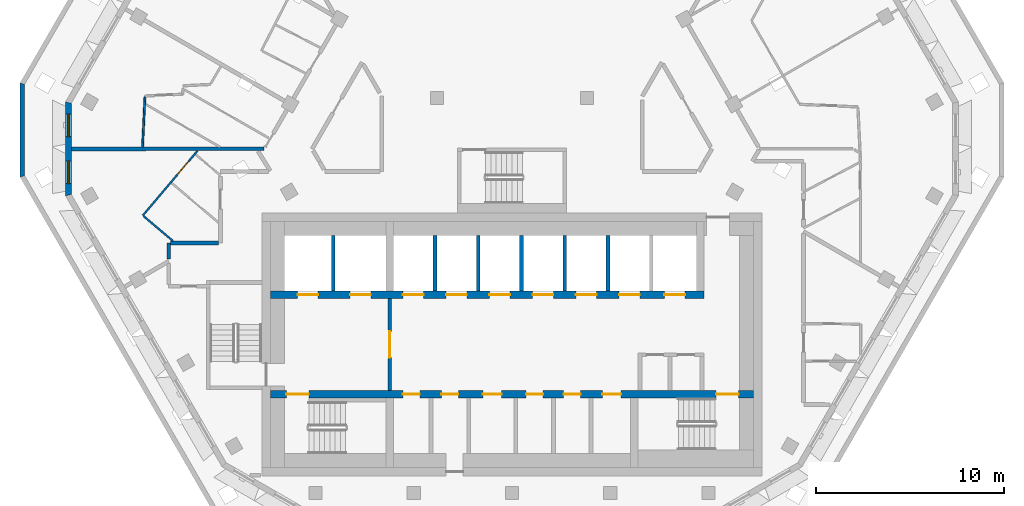
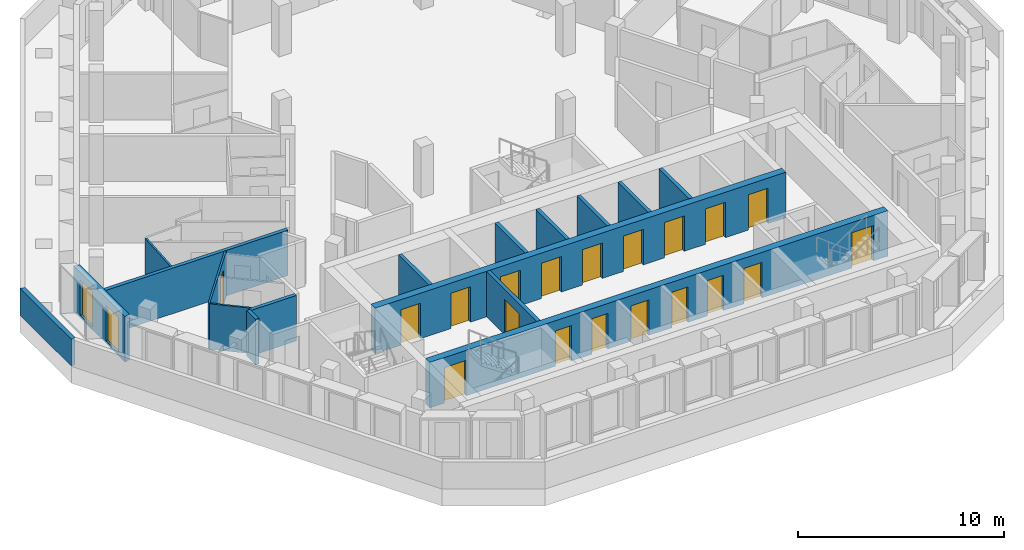
# One storey, part 3 of 15: 19 doors, 17 walls, 2 windows, 21 openings.
"""IFC4 building model written with IfcOpenShell, lengths in metres."""

import ifcopenshell
import ifcopenshell.guid

model = None  # the IFC model being written
_history = None  # IfcOwnerHistory: only IFC2X3 demands one
_inside = {}  # id of a spatial element -> (the spatial element, [elements in it])
_under = {}  # id of a project, library or spatial element -> (it, [spatial elements below it])
_declared = {}  # id of a project -> (the project, [libraries it declares])
_typed = {}  # id of a type object -> (the type object, [elements of that type])
_made_of = {}  # id of a material, layer set ... -> (it, [elements and type objects made of it])


def new_model(schema):
    """Start an empty IFC model of exactly this schema.

    Asked for "IFC4X3", IfcOpenShell would pick the latest addendum, in which some entities
    have other attributes; the version numbers below select the first issue.
    IFC2X3 requires an IfcOwnerHistory on every rooted entity: one is made here for all.
    """
    global model, _history
    if schema == "IFC4X3":
        model = ifcopenshell.file(schema_version=(4, 3, 0, 0))
    else:
        model = ifcopenshell.file(schema=schema)
    _inside.clear()
    _under.clear()
    _declared.clear()
    _typed.clear()
    _made_of.clear()
    _history = None
    if model.schema == "IFC2X3":
        org = make("IfcOrganization", Name="unknown")
        user = make(
            "IfcPersonAndOrganization",
            ThePerson=make("IfcPerson", FamilyName="unknown"),
            TheOrganization=org,
        )
        app = make(
            "IfcApplication",
            ApplicationDeveloper=org,
            Version="unknown",
            ApplicationFullName="unknown",
            ApplicationIdentifier="unknown",
        )
        _history = make(
            "IfcOwnerHistory",
            OwningUser=user,
            OwningApplication=app,
            ChangeAction="ADDED",
            CreationDate=0,
        )
    return model


def make(cls, **values):
    """One entity of the class cls with the attributes given. An attribute that is None is left unset."""
    return model.create_entity(
        cls, **{name: value for name, value in values.items() if value is not None}
    )


def rooted(cls, **values):
    """An entity with a GlobalId (a new one), such as an element, a storey or a relation."""
    return make(cls, GlobalId=ifcopenshell.guid.new(), OwnerHistory=_history, **values)


def si_unit(unit_type, name, prefix=None):
    """IfcSIUnit, for example si_unit("LENGTHUNIT", "METRE", prefix="MILLI")."""
    return make("IfcSIUnit", UnitType=unit_type, Prefix=prefix, Name=name)


def assignment(units):
    """IfcUnitAssignment: the units of a project."""
    return None if units is None else make("IfcUnitAssignment", Units=units)


def point(xyz):
    """IfcCartesianPoint."""
    return None if xyz is None else make("IfcCartesianPoint", Coordinates=xyz)


def direction(xyz):
    """IfcDirection."""
    return None if xyz is None else make("IfcDirection", DirectionRatios=xyz)


def frame(location, z_axis=None, x_axis=None):
    """IfcAxis2Placement3D, a coordinate frame: its origin and axes. An axis left out is left unset."""
    return make(
        "IfcAxis2Placement3D",
        Location=point(location),
        Axis=direction(z_axis),
        RefDirection=direction(x_axis),
    )


def frame_2d(location, x_axis=None):
    """IfcAxis2Placement2D, a coordinate frame in the plane: its origin and x axis."""
    return make(
        "IfcAxis2Placement2D", Location=point(location), RefDirection=direction(x_axis)
    )


def origin():
    """The frame at (0, 0, 0) with its axes left unset."""
    return frame((0.0, 0.0, 0.0))


def place(relative_to, where):
    """IfcLocalPlacement: puts the frame where relative to a parent placement (None: the world)."""
    return make(
        "IfcLocalPlacement", PlacementRelTo=relative_to, RelativePlacement=where
    )


def context(
    kind, dimensions, precision=None, world=None, true_north=None, identifier=None
):
    """IfcGeometricRepresentationContext, for example the 3D "Model" context."""
    return make(
        "IfcGeometricRepresentationContext",
        ContextIdentifier=identifier,
        ContextType=kind,
        CoordinateSpaceDimension=dimensions,
        Precision=precision,
        WorldCoordinateSystem=world,
        TrueNorth=true_north,
    )


def subcontext(parent, identifier, kind, view, scale=None):
    """IfcGeometricRepresentationSubContext, for example "Body" below "Model"."""
    return make(
        "IfcGeometricRepresentationSubContext",
        ContextIdentifier=identifier,
        ContextType=kind,
        ParentContext=parent,
        TargetScale=scale,
        TargetView=view,
    )


def project(units=None, contexts=None):
    """IfcProject with its units and contexts."""
    return rooted(
        "IfcProject",
        Name="project",
        RepresentationContexts=contexts,
        UnitsInContext=assignment(units),
    )


def spatial(cls, under=None, at=None, **own):
    """A site, building, storey or space (cls), placed at a placement, below another one or the project."""
    s = rooted(cls, ObjectPlacement=at, **own)
    if under is not None:
        _under.setdefault(under.id(), (under, []))[1].append(s)
    return s


def polyline(points):
    """IfcPolyline through the points."""
    return make("IfcPolyline", Points=[point(p) for p in points])


def profile(cls, at=None, kind="AREA", **sizes):
    """A parametric profile (cls). Its sizes go by their IFC names, for example OverallWidth=200.0."""
    return make(cls, ProfileType=kind, Position=at, **sizes)


def rectangle(**sizes):
    """IfcRectangleProfileDef."""
    return profile("IfcRectangleProfileDef", **sizes)


def outline(outer, holes=None, kind="AREA"):
    """IfcArbitraryClosedProfileDef: a profile drawn as a closed curve; with holes, ...WithVoids."""
    if holes is None:
        return make("IfcArbitraryClosedProfileDef", ProfileType=kind, OuterCurve=outer)
    return make(
        "IfcArbitraryProfileDefWithVoids",
        ProfileType=kind,
        OuterCurve=outer,
        InnerCurves=holes,
    )


def extrude(swept, where, along, depth):
    """IfcExtrudedAreaSolid: the profile swept, set in the frame where, extruded along a direction by depth."""
    return make(
        "IfcExtrudedAreaSolid",
        SweptArea=swept,
        Position=where,
        ExtrudedDirection=direction(along),
        Depth=depth,
    )


def shape(context_of_items, identifier, shape_type, items):
    """IfcShapeRepresentation: the items that make up one representation, for example the "Body"."""
    return make(
        "IfcShapeRepresentation",
        ContextOfItems=context_of_items,
        RepresentationIdentifier=identifier,
        RepresentationType=shape_type,
        Items=items,
    )


def material(Name=None, Category=None):
    """IfcMaterial."""
    return make("IfcMaterial", Name=Name, Category=Category)


def layer(
    of_material, thickness, ventilated=None, Name=None, Category=None, Priority=None
):
    """IfcMaterialLayer: one layer of a wall or slab, of a material (None: an air gap)."""
    return make(
        "IfcMaterialLayer",
        Material=of_material,
        LayerThickness=thickness,
        IsVentilated=ventilated,
        Name=Name,
        Category=Category,
        Priority=Priority,
    )


def layer_set(layers, Name=None):
    """IfcMaterialLayerSet."""
    return make("IfcMaterialLayerSet", MaterialLayers=layers, LayerSetName=Name)


def made_of(thing, what):
    """Note that an element or type object is made of a material, layer set ...; save() writes the relation."""
    if what is not None:
        _made_of.setdefault(what.id(), (what, []))[1].append(thing)
    return thing


def type_object(cls, material=None, **own):
    """A type object (cls), such as IfcWallType, which elements share."""
    return made_of(rooted(cls, **own), material)


def element(
    cls,
    number,
    at=None,
    inside=None,
    cuts=None,
    type_object=None,
    material=None,
    context=None,
    identifier="Body",
    shape_type=None,
    held_by="IfcProductDefinitionShape",
    body=None,
    shapes=None,
    **own,
):
    """One element of the class cls, such as IfcWall. Its Tag is "e" and its number.

    at: its placement. inside: the storey or other place that contains it. cuts: it is an
    opening in that element (IfcRelVoidsElement). A single representation is given by context,
    identifier, shape_type and body (its items); several are given by shapes. held_by: the class
    of the entity that holds the representations. save() writes the other relations.
    """
    e = rooted(cls, Tag="e%d" % number, ObjectPlacement=at, **own)
    if body is not None:
        shapes = [shape(context, identifier, shape_type, body)]
    if shapes is not None:
        e.Representation = make(held_by, Representations=shapes)
    if inside is not None:
        _inside.setdefault(inside.id(), (inside, []))[1].append(e)
    if cuts is not None:
        rooted(
            "IfcRelVoidsElement", RelatingBuildingElement=cuts, RelatedOpeningElement=e
        )
    if type_object is not None:
        _typed.setdefault(type_object.id(), (type_object, []))[1].append(e)
    return made_of(e, material)


def fill(opening, filler):
    """IfcRelFillsElement: the door or window that sits in an opening."""
    return rooted(
        "IfcRelFillsElement",
        RelatingOpeningElement=opening,
        RelatedBuildingElement=filler,
    )


def aggregate(whole, parts):
    """IfcRelAggregates: a whole, such as a stair, and the parts it consists of."""
    return rooted("IfcRelAggregates", RelatingObject=whole, RelatedObjects=parts)


def save(model, path):
    """Write the relations noted so far, then the file.

    IfcRelAggregates (storeys below a building ...), IfcRelContainedInSpatialStructure (elements
    in a storey), IfcRelDefinesByType, IfcRelAssociatesMaterial and IfcRelDeclares: one each for
    every whole, place, type object, material and project.
    """
    for whole, parts in _under.values():
        aggregate(whole, parts)
    for where, things in _inside.values():
        rooted(
            "IfcRelContainedInSpatialStructure",
            RelatedElements=things,
            RelatingStructure=where,
        )
    for kind, things in _typed.values():
        rooted("IfcRelDefinesByType", RelatedObjects=things, RelatingType=kind)
    for what, things in _made_of.values():
        rooted("IfcRelAssociatesMaterial", RelatedObjects=things, RelatingMaterial=what)
    for by, libraries in _declared.values():
        rooted("IfcRelDeclares", RelatingContext=by, RelatedDefinitions=libraries)
    model.write(path)


model = new_model("IFC4")

# Units and contexts
model_context = context("Model", 3, precision=1e-05, world=origin(), true_north=direction((0.0, 1.0)))
body_context = subcontext(model_context, "Body", "Model", "MODEL_VIEW")
ifc_project = project(units=[si_unit("LENGTHUNIT", "METRE"), si_unit("AREAUNIT", "SQUARE_METRE"), si_unit("VOLUMEUNIT", "CUBIC_METRE"), si_unit("PLANEANGLEUNIT", "RADIAN"), si_unit("MASSUNIT", "GRAM", prefix="KILO")], contexts=[model_context])

# Site, building, storey
site_placement = place(None, origin())
site = spatial("IfcSite", under=ifc_project, at=site_placement, CompositionType="ELEMENT")
building_placement = place(site_placement, origin())
building = spatial("IfcBuilding", under=site, at=building_placement, Name="Beryl Residences", CompositionType="ELEMENT")
storey_placement = place(building_placement, frame((0.0, 0.0, 202.800048828125)))
storey = spatial("IfcBuildingStorey", under=building, at=storey_placement, Name="L62", CompositionType="ELEMENT", Elevation=202.800048828125)

# Wall, openings, windows
ifc_material_1 = material(Name="Composite metal panel with mineral wool insulation")
ifc_layer_1 = layer(ifc_material_1, 0.300048828125)
ifc_layer_set_1 = layer_set([ifc_layer_1], Name="ES1 pale metal composite panel wall 300 mm")
wall_type_1 = type_object("IfcWallType", Name="ES1 pale metal composite panel wall 300 mm", PredefinedType="SOLIDWALL", material=ifc_layer_set_1)
wall_1_placement = place(storey_placement, frame((-23.5791015625, 0.89990234375, 0.0), z_axis=(0.0, 0.0, 1.0), x_axis=(0.0, -1.0, 0.0)))
wall_1 = element("IfcWall", 1, at=wall_1_placement, inside=storey, type_object=wall_type_1, Name="ES1 external wall L62 NW-SW", PredefinedType="SOLIDWALL", context=body_context, shape_type="SweptSolid", body=[
    extrude(outline(polyline([(0.0, -0.14990234375), (5.0, -0.14990234375), (4.919677734375, 0.14990234375), (0.080322265625, 0.14990234375), (0.0, -0.14990234375)])), origin(), (0.0, 0.0, 1.0), 2.699951171875),
])
opening_1_placement = place(wall_1_placement, frame((0.64990234375, 0.0, 0.14990234375)))
opening_1 = element("IfcOpeningElement", 2, at=opening_1_placement, cuts=wall_1, Name="Opening W2", PredefinedType="OPENING", context=body_context, shape_type="SweptSolid", body=[
    extrude(rectangle(XDim=1.199951171875, YDim=2.10009765625, at=frame_2d((0.60009765625, 1.050048828125))), frame((0.0, 0.159912109375, 0.0), z_axis=(0.0, -1.0, 0.0), x_axis=(1.0, 0.0, 0.0)), (0.0, 0.0, 1.0), 0.320068359375),
])
opening_2_placement = place(wall_1_placement, frame((3.14990234375, 0.0, 0.14990234375)))
opening_2 = element("IfcOpeningElement", 3, at=opening_2_placement, cuts=wall_1, Name="Opening W2", PredefinedType="OPENING", context=body_context, shape_type="SweptSolid", body=[
    extrude(rectangle(XDim=1.199951171875, YDim=2.10009765625, at=frame_2d((0.60009765625, 1.050048828125))), frame((0.0, 0.159912109375, 0.0), z_axis=(0.0, -1.0, 0.0), x_axis=(1.0, 0.0, 0.0)), (0.0, 0.0, 1.0), 0.320068359375),
])
ifc_material_2 = material(Name="Aluminium and clear glass", Category="aluminium")
window_type = type_object("IfcWindowType", Name="W2 chamfer window 1200 x 2100 mm", PartitioningType="SINGLE_PANEL", PredefinedType="WINDOW", material=ifc_material_2)
window_1_placement = place(opening_1_placement, origin())
window_1 = element("IfcWindow", 4, at=window_1_placement, inside=storey, type_object=window_type, Name="W2 window L62 NW-SW 1", OverallHeight=2.10009765625, OverallWidth=1.199951171875, PartitioningType="SINGLE_PANEL", PredefinedType="WINDOW", context=body_context, shape_type="SweptSolid", body=[
    extrude(rectangle(XDim=1.199951171875, YDim=2.10009765625, at=frame_2d((0.60009765625, 1.050048828125))), frame((0.0, 0.030029296875, 0.0), z_axis=(0.0, -1.0, 0.0), x_axis=(1.0, 0.0, 0.0)), (0.0, 0.0, 1.0), 0.06005859375),
])
fill(opening_1, window_1)
window_2_placement = place(opening_2_placement, origin())
window_2 = element("IfcWindow", 5, at=window_2_placement, inside=storey, type_object=window_type, Name="W2 window L62 NW-SW 2", OverallHeight=2.10009765625, OverallWidth=1.199951171875, PartitioningType="SINGLE_PANEL", PredefinedType="WINDOW", context=body_context, shape_type="SweptSolid", body=[
    extrude(rectangle(XDim=1.199951171875, YDim=2.10009765625, at=frame_2d((0.60009765625, 1.050048828125))), frame((0.0, 0.030029296875, 0.0), z_axis=(0.0, -1.0, 0.0), x_axis=(1.0, 0.0, 0.0)), (0.0, 0.0, 1.0), 0.06005859375),
])
fill(opening_2, window_2)

# Walls
ifc_material_3 = material(Name="Precast concrete C40/50", Category="concrete")
ifc_layer_2 = layer(ifc_material_3, 0.25)
ifc_layer_set_2 = layer_set([ifc_layer_2], Name="PA1 roof parapet 250 mm")
wall_type_2 = type_object("IfcWallType", Name="PA1 roof parapet 250 mm", PredefinedType="PARAPET", material=ifc_layer_set_2)
wall_2_placement = place(storey_placement, frame((-26.029052734375, -3.10009765625, 0.0), z_axis=(0.0, 0.0, 1.0), x_axis=(0.0, 1.0, 0.0)))
element("IfcWall", 6, at=wall_2_placement, inside=storey, type_object=wall_type_2, Name="PA1 parapet L62 strip 9", PredefinedType="PARAPET", context=body_context, shape_type="SweptSolid", body=[
    extrude(outline(polyline([(0.06689453125, -0.125), (4.93310546875, -0.125), (5.0, 0.125), (0.0, 0.125), (0.06689453125, -0.125)])), origin(), (0.0, 0.0, 1.0), 1.599853515625),
])
ifc_material_4 = material(Name="Gypsum board partition on steel studs", Category="steel")
ifc_layer_3 = layer(ifc_material_4, 0.10009765625)
ifc_layer_set_3 = layer_set([ifc_layer_3], Name="PT1 partition 100 mm gypsum board on steel studs")
wall_type_3 = type_object("IfcWallType", Name="PT1 partition 100 mm gypsum board on steel studs", PredefinedType="PARTITIONING", material=ifc_layer_set_3)
wall_3_placement = place(storey_placement, frame((-19.5859375, -5.176025390625, 0.0), z_axis=(0.0, 0.0, 1.0), x_axis=(0.763435976882, -0.645883510551, 0.0)))
element("IfcWall", 7, at=wall_3_placement, inside=storey, type_object=wall_type_3, Name="Wall PT1 L62 024", PredefinedType="PARTITIONING", context=body_context, shape_type="SweptSolid", body=[
    extrude(rectangle(XDim=2.0498046875, YDim=0.10009765625, at=frame_2d((1.02490234375, 0.0))), origin(), (0.0, 0.0, 1.0), 2.699951171875),
])

# Wall, opening, door
wall_4_placement = place(storey_placement, frame((-19.625, -5.14404296875, 0.0), z_axis=(0.0, 0.0, 1.0), x_axis=(0.645668001073, 0.763618250431, 0.0)))
wall_4 = element("IfcWall", 8, at=wall_4_placement, inside=storey, type_object=wall_type_3, Name="Wall PT1 L62 027", PredefinedType="PARTITIONING", context=body_context, shape_type="SweptSolid", body=[
    extrude(rectangle(XDim=4.51025390625, YDim=0.10009765625, at=frame_2d((2.255126953125, 0.0))), origin(), (0.0, 0.0, 1.0), 2.699951171875),
])
opening_3_placement = place(wall_4_placement, frame((2.85009765625, 0.0, 0.0)))
opening_3 = element("IfcOpeningElement", 9, at=opening_3_placement, cuts=wall_4, Name="Opening D1823", PredefinedType="OPENING", context=body_context, shape_type="SweptSolid", body=[
    extrude(rectangle(XDim=0.89990234375, YDim=2.10009765625, at=frame_2d((0.449951171875, 1.050048828125))), frame((0.0, 0.06005859375, 0.0), z_axis=(0.0, -1.0, 0.0), x_axis=(1.0, 0.0, 0.0)), (0.0, 0.0, 1.0), 0.1201171875),
])
ifc_material_5 = material(Name="Timber door leaf", Category="wood")
door_type_1 = type_object("IfcDoorType", Name="D2 room door 900 x 2100 mm", OperationType="SINGLE_SWING_LEFT", PredefinedType="DOOR", material=ifc_material_5)
door_1_placement = place(opening_3_placement, origin())
door_1 = element("IfcDoor", 10, at=door_1_placement, inside=storey, type_object=door_type_1, Name="Door D1823 L62 001", OperationType="SINGLE_SWING_LEFT", OverallHeight=2.10009765625, OverallWidth=0.89990234375, PredefinedType="DOOR", context=body_context, shape_type="SweptSolid", body=[
    extrude(rectangle(XDim=0.89990234375, YDim=2.10009765625, at=frame_2d((0.449951171875, 1.050048828125))), frame((0.0, 0.02490234375, 0.0), z_axis=(0.0, -1.0, 0.0), x_axis=(1.0, 0.0, 0.0)), (0.0, 0.0, 1.0), 0.050048828125),
])
fill(opening_3, door_1)

# Wall
wall_5_placement = place(storey_placement, frame((-19.64111328125, -1.5, 0.0), z_axis=(0.0, 0.0, 1.0), x_axis=(0.048898906005, 0.998803732968, 0.0)))
element("IfcWall", 11, at=wall_5_placement, inside=storey, type_object=wall_type_3, Name="Wall PT1 L62 035", PredefinedType="PARTITIONING", context=body_context, shape_type="SweptSolid", body=[
    extrude(rectangle(XDim=2.6611328125, YDim=0.10009765625, at=frame_2d((1.33056640625, 0.0))), origin(), (0.0, 0.0, 1.0), 2.699951171875),
])

# Wall, opening, door
ifc_material_6 = material(Name="Concrete masonry", Category="masonry")
ifc_layer_4 = layer(ifc_material_6, 0.199951171875)
ifc_layer_set_4 = layer_set([ifc_layer_4], Name="PT13 lobby wall 200 mm")
wall_type_4 = type_object("IfcWallType", Name="PT13 lobby wall 200 mm", PredefinedType="PARTITIONING", material=ifc_layer_set_4)
wall_6_placement = place(storey_placement, frame((-6.5, -14.449951171875, 0.0), z_axis=(0.0, 0.0, 1.0), x_axis=(0.0, 1.0, 0.0)))
wall_6 = element("IfcWall", 12, at=wall_6_placement, inside=storey, type_object=wall_type_4, Name="Lobby wall 12", PredefinedType="PARTITIONING", context=body_context, shape_type="SweptSolid", body=[
    extrude(rectangle(XDim=4.89990234375, YDim=0.199951171875, at=frame_2d((2.449951171875, 0.0))), origin(), (0.0, 0.0, 1.0), 2.699951171875),
])
opening_4_placement = place(wall_6_placement, frame((3.14990234375, 0.0, 0.0), z_axis=(0.0, 0.0, 1.0), x_axis=(-1.0, 0.0, 0.0)))
opening_4 = element("IfcOpeningElement", 13, at=opening_4_placement, cuts=wall_6, Name="Opening FD-FFL", PredefinedType="OPENING", context=body_context, shape_type="SweptSolid", body=[
    extrude(rectangle(XDim=1.39990234375, YDim=2.10009765625, at=frame_2d((0.699951171875, 1.050048828125))), frame((0.0, 0.10986328125, 0.0), z_axis=(0.0, -1.0, 0.0), x_axis=(1.0, 0.0, 0.0)), (0.0, 0.0, 1.0), 0.219970703125),
])
ifc_material_7 = material(Name="Steel door leaf in steel frame", Category="steel")
door_type_2 = type_object("IfcDoorType", Name="D5 lobby door 1400 x 2100 mm", OperationType="DOUBLE_DOOR_SINGLE_SWING", PredefinedType="DOOR", material=ifc_material_7)
door_2_placement = place(opening_4_placement, origin())
door_2 = element("IfcDoor", 14, at=door_2_placement, inside=storey, type_object=door_type_2, Name="Door FD-FFL L62 001", OperationType="DOUBLE_DOOR_SINGLE_SWING", OverallHeight=2.10009765625, OverallWidth=1.39990234375, PredefinedType="DOOR", context=body_context, shape_type="SweptSolid", body=[
    extrude(rectangle(XDim=1.39990234375, YDim=2.10009765625, at=frame_2d((0.699951171875, 1.050048828125))), frame((0.0, 0.02490234375, 0.0), z_axis=(0.0, -1.0, 0.0), x_axis=(1.0, 0.0, 0.0)), (0.0, 0.0, 1.0), 0.050048828125),
])
fill(opening_4, door_2)

# Walls
ifc_material_8 = material(Name="Acoustic double stud gypsum board wall")
ifc_layer_5 = layer(ifc_material_8, 0.199951171875)
ifc_layer_set_5 = layer_set([ifc_layer_5], Name="PT3 party wall 200 mm acoustic double stud")
wall_type_5 = type_object("IfcWallType", Name="PT3 party wall 200 mm acoustic double stud", PredefinedType="PARTITIONING", material=ifc_layer_set_5)
wall_7_placement = place(storey_placement, frame((-23.428955078125, -1.60107421875, 0.0), z_axis=(0.0, 0.0, 1.0), x_axis=(0.999999995449, 9.5406191e-05, 0.0)))
element("IfcWall", 15, at=wall_7_placement, inside=storey, type_object=wall_type_5, Name="Wall PT3 L62 007", PredefinedType="PARTITIONING", context=body_context, shape_type="SweptSolid", body=[
    extrude(rectangle(XDim=10.23583984375, YDim=0.199951171875, at=frame_2d((5.117919921875, 0.0))), origin(), (0.0, 0.0, 1.0), 2.699951171875),
])
ifc_material_9 = material(Name="Double stud gypsum board wall")
ifc_layer_6 = layer(ifc_material_9, 0.199951171875)
ifc_layer_set_6 = layer_set([ifc_layer_6], Name="PT4 corridor wall 200 mm double stud")
wall_type_6 = type_object("IfcWallType", Name="PT4 corridor wall 200 mm double stud", PredefinedType="PARTITIONING", material=ifc_layer_set_6)
wall_8_placement = place(storey_placement, frame((-18.14892578125, -6.60009765625, 0.0), z_axis=(0.0, 0.0, 1.0), x_axis=(1.0, 0.0, 0.0)))
element("IfcWall", 16, at=wall_8_placement, inside=storey, type_object=wall_type_6, Name="Wall PT4 L62 012", PredefinedType="PARTITIONING", context=body_context, shape_type="SweptSolid", body=[
    extrude(rectangle(XDim=2.5478515625, YDim=0.199951171875, at=frame_2d((1.27392578125, 0.0))), origin(), (0.0, 0.0, 1.0), 2.699951171875),
])
wall_9_placement = place(storey_placement, frame((-18.25, -7.465087890625, 0.0), z_axis=(0.0, 0.0, 1.0), x_axis=(0.0, 1.0, 0.0)))
element("IfcWall", 17, at=wall_9_placement, inside=storey, type_object=wall_type_6, Name="Wall PT4 L62 033", PredefinedType="PARTITIONING", context=body_context, shape_type="SweptSolid", body=[
    extrude(rectangle(XDim=0.864013671875, YDim=0.199951171875, at=frame_2d((0.43212890625, 0.0))), origin(), (0.0, 0.0, 1.0), 2.699951171875),
])
ifc_material_10 = material(Name="Concrete C40/50", Category="concrete")
ifc_layer_7 = layer(ifc_material_10, 0.199951171875)
ifc_layer_set_7 = layer_set([ifc_layer_7], Name="PT6 lift shaft wall 200 mm reinforced concrete C40/50")
wall_type_7 = type_object("IfcWallType", Name="PT6 lift shaft wall 200 mm reinforced concrete C40/50", PredefinedType="SOLIDWALL", material=ifc_layer_set_7)
for number, where, z_axis, x_axis, name in (
    (18, (-9.5, -9.14990234375, 0.0), (0.0, 0.0, 1.0), (0.0, 1.0, 0.0), "Lift shaft wall 11"),
    (19, (-4.10009765625, -9.14990234375, 0.0), (0.0, 0.0, 1.0), (0.0, 1.0, 0.0), "Lift shaft wall 16"),
    (20, (-1.800048828125, -9.14990234375, 0.0), (0.0, 0.0, 1.0), (0.0, 1.0, 0.0), "Lift shaft wall 19"),
    (21, (0.5, -9.14990234375, 0.0), (0.0, 0.0, 1.0), (0.0, 1.0, 0.0), "Lift shaft wall 21"),
    (22, (2.800048828125, -9.14990234375, 0.0), (0.0, 0.0, 1.0), (0.0, 1.0, 0.0), "Lift shaft wall 23"),
    (23, (5.10009765625, -9.14990234375, 0.0), (0.0, 0.0, 1.0), (0.0, 1.0, 0.0), "Lift shaft wall 25"),
):
    element("IfcWall", number, at=place(storey_placement, frame(where, z_axis=z_axis, x_axis=x_axis)), inside=storey, type_object=wall_type_7, Name=name, PredefinedType="SOLIDWALL", context=body_context, shape_type="SweptSolid", body=[
        extrude(rectangle(XDim=2.949951171875, YDim=0.199951171875, at=frame_2d((1.47509765625, 0.0))), origin(), (0.0, 0.0, 1.0), 2.699951171875),
    ])

# Wall, openings, doors
ifc_material_11 = material(Name="Concrete C50/60", Category="concrete")
ifc_layer_8 = layer(ifc_material_11, 0.39990234375)
ifc_layer_set_8 = layer_set([ifc_layer_8], Name="SW10 core internal wall 400 mm C50/60")
wall_type_8 = type_object("IfcWallType", Name="SW10 core internal wall 400 mm C50/60", PredefinedType="SHEAR", material=ifc_layer_set_8)
wall_10_placement = place(storey_placement, frame((-12.85009765625, -14.64990234375, 0.0), z_axis=(0.0, 0.0, 1.0), x_axis=(1.0, 0.0, 0.0)))
wall_10 = element("IfcWall", 24, at=wall_10_placement, inside=storey, type_object=wall_type_8, Name="Core wall SP1 L62", PredefinedType="SHEAR", context=body_context, shape_type="SweptSolid", body=[
    extrude(rectangle(XDim=25.7001953125, YDim=0.39990234375, at=frame_2d((12.85009765625, 0.0))), origin(), (0.0, 0.0, 1.0), 2.699951171875),
])
opening_5_placement = place(wall_10_placement, frame((2.050048828125, 0.0, 0.0), z_axis=(0.0, 0.0, 1.0), x_axis=(-1.0, 0.0, 0.0)))
opening_5 = element("IfcOpeningElement", 25, at=opening_5_placement, cuts=wall_10, Name="Opening SD-1", PredefinedType="OPENING", context=body_context, shape_type="SweptSolid", body=[
    extrude(rectangle(XDim=1.199951171875, YDim=2.10009765625, at=frame_2d((0.60009765625, 1.050048828125))), frame((0.0, 0.2099609375, 0.0), z_axis=(0.0, -1.0, 0.0), x_axis=(1.0, 0.0, 0.0)), (0.0, 0.0, 1.0), 0.419921875),
])
opening_6_placement = place(wall_10_placement, frame((24.89990234375, 0.0, 0.0), z_axis=(0.0, 0.0, 1.0), x_axis=(-1.0, 0.0, 0.0)))
opening_6 = element("IfcOpeningElement", 26, at=opening_6_placement, cuts=wall_10, Name="Opening SD-3", PredefinedType="OPENING", context=body_context, shape_type="SweptSolid", body=[
    extrude(rectangle(XDim=1.199951171875, YDim=2.10009765625, at=frame_2d((0.60009765625, 1.050048828125))), frame((0.0, 0.2099609375, 0.0), z_axis=(0.0, -1.0, 0.0), x_axis=(1.0, 0.0, 0.0)), (0.0, 0.0, 1.0), 0.419921875),
])
opening_7_placement = place(wall_10_placement, frame((7.949951171875, 0.0, 0.0), z_axis=(0.0, 0.0, 1.0), x_axis=(-1.0, 0.0, 0.0)))
opening_7 = element("IfcOpeningElement", 27, at=opening_7_placement, cuts=wall_10, Name="Opening CD-D-S1-900", PredefinedType="OPENING", context=body_context, shape_type="SweptSolid", body=[
    extrude(rectangle(XDim=0.89990234375, YDim=2.10009765625, at=frame_2d((0.449951171875, 1.050048828125))), frame((0.0, 0.2099609375, 0.0), z_axis=(0.0, -1.0, 0.0), x_axis=(1.0, 0.0, 0.0)), (0.0, 0.0, 1.0), 0.419921875),
])
opening_8_placement = place(wall_10_placement, frame((10.0, 0.0, 0.0), z_axis=(0.0, 0.0, 1.0), x_axis=(-1.0, 0.0, 0.0)))
opening_8 = element("IfcOpeningElement", 28, at=opening_8_placement, cuts=wall_10, Name="Opening CD-D-S2-900", PredefinedType="OPENING", context=body_context, shape_type="SweptSolid", body=[
    extrude(rectangle(XDim=0.89990234375, YDim=2.10009765625, at=frame_2d((0.449951171875, 1.050048828125))), frame((0.0, 0.2099609375, 0.0), z_axis=(0.0, -1.0, 0.0), x_axis=(1.0, 0.0, 0.0)), (0.0, 0.0, 1.0), 0.419921875),
])
opening_9_placement = place(wall_10_placement, frame((12.300048828125, 0.0, 0.0), z_axis=(0.0, 0.0, 1.0), x_axis=(-1.0, 0.0, 0.0)))
opening_9 = element("IfcOpeningElement", 29, at=opening_9_placement, cuts=wall_10, Name="Opening CD-D-S3", PredefinedType="OPENING", context=body_context, shape_type="SweptSolid", body=[
    extrude(rectangle(XDim=1.0, YDim=2.10009765625, at=frame_2d((0.5, 1.050048828125))), frame((0.0, 0.2099609375, 0.0), z_axis=(0.0, -1.0, 0.0), x_axis=(1.0, 0.0, 0.0)), (0.0, 0.0, 1.0), 0.419921875),
])
opening_10_placement = place(wall_10_placement, frame((14.5, 0.0, 0.0), z_axis=(0.0, 0.0, 1.0), x_axis=(-1.0, 0.0, 0.0)))
opening_10 = element("IfcOpeningElement", 30, at=opening_10_placement, cuts=wall_10, Name="Opening CD-D-S4-900", PredefinedType="OPENING", context=body_context, shape_type="SweptSolid", body=[
    extrude(rectangle(XDim=0.89990234375, YDim=2.10009765625, at=frame_2d((0.449951171875, 1.050048828125))), frame((0.0, 0.2099609375, 0.0), z_axis=(0.0, -1.0, 0.0), x_axis=(1.0, 0.0, 0.0)), (0.0, 0.0, 1.0), 0.419921875),
])
opening_11_placement = place(wall_10_placement, frame((16.5, 0.0, 0.0), z_axis=(0.0, 0.0, 1.0), x_axis=(-1.0, 0.0, 0.0)))
opening_11 = element("IfcOpeningElement", 31, at=opening_11_placement, cuts=wall_10, Name="Opening CD-D-S5-900", PredefinedType="OPENING", context=body_context, shape_type="SweptSolid", body=[
    extrude(rectangle(XDim=0.89990234375, YDim=2.10009765625, at=frame_2d((0.449951171875, 1.050048828125))), frame((0.0, 0.2099609375, 0.0), z_axis=(0.0, -1.0, 0.0), x_axis=(1.0, 0.0, 0.0)), (0.0, 0.0, 1.0), 0.419921875),
])
opening_12_placement = place(wall_10_placement, frame((18.64990234375, 0.0, 0.0), z_axis=(0.0, 0.0, 1.0), x_axis=(-1.0, 0.0, 0.0)))
opening_12 = element("IfcOpeningElement", 32, at=opening_12_placement, cuts=wall_10, Name="Opening CD-D-S6", PredefinedType="OPENING", context=body_context, shape_type="SweptSolid", body=[
    extrude(rectangle(XDim=1.0, YDim=2.10009765625, at=frame_2d((0.5, 1.050048828125))), frame((0.0, 0.2099609375, 0.0), z_axis=(0.0, -1.0, 0.0), x_axis=(1.0, 0.0, 0.0)), (0.0, 0.0, 1.0), 0.419921875),
])
ifc_material_12 = material(Name="Steel door leaf in steel frame", Category="steel")
door_type_3 = type_object("IfcDoorType", Name="D18 service room door 1000 x 2100 mm", OperationType="SINGLE_SWING_LEFT", PredefinedType="DOOR", material=ifc_material_12)
door_3_placement = place(opening_9_placement, origin())
door_3 = element("IfcDoor", 33, at=door_3_placement, inside=storey, type_object=door_type_3, Name="Door CD-D-S3 L62 001", OperationType="SINGLE_SWING_RIGHT", OverallHeight=2.10009765625, OverallWidth=1.0, PredefinedType="DOOR", context=body_context, shape_type="SweptSolid", body=[
    extrude(rectangle(XDim=1.0, YDim=2.10009765625, at=frame_2d((0.5, 1.050048828125))), frame((0.0, 0.02490234375, 0.0), z_axis=(0.0, -1.0, 0.0), x_axis=(1.0, 0.0, 0.0)), (0.0, 0.0, 1.0), 0.050048828125),
])
fill(opening_9, door_3)
door_4_placement = place(opening_12_placement, origin())
door_4 = element("IfcDoor", 34, at=door_4_placement, inside=storey, type_object=door_type_3, Name="Door CD-D-S6 L62 001", OperationType="SINGLE_SWING_LEFT", OverallHeight=2.10009765625, OverallWidth=1.0, PredefinedType="DOOR", context=body_context, shape_type="SweptSolid", body=[
    extrude(rectangle(XDim=1.0, YDim=2.10009765625, at=frame_2d((0.5, 1.050048828125))), frame((0.0, 0.02490234375, 0.0), z_axis=(0.0, -1.0, 0.0), x_axis=(1.0, 0.0, 0.0)), (0.0, 0.0, 1.0), 0.050048828125),
])
fill(opening_12, door_4)
ifc_material_13 = material(Name="Steel door leaf in steel frame", Category="steel")
door_type_4 = type_object("IfcDoorType", Name="D4 stair door 1200 x 2100 mm", OperationType="SINGLE_SWING_LEFT", PredefinedType="DOOR", material=ifc_material_13)
door_5_placement = place(opening_5_placement, origin())
door_5 = element("IfcDoor", 35, at=door_5_placement, inside=storey, type_object=door_type_4, Name="Door SD-1 L62 001", OperationType="SINGLE_SWING_RIGHT", OverallHeight=2.10009765625, OverallWidth=1.199951171875, PredefinedType="DOOR", context=body_context, shape_type="SweptSolid", body=[
    extrude(rectangle(XDim=1.199951171875, YDim=2.10009765625, at=frame_2d((0.60009765625, 1.050048828125))), frame((0.0, 0.02490234375, 0.0), z_axis=(0.0, -1.0, 0.0), x_axis=(1.0, 0.0, 0.0)), (0.0, 0.0, 1.0), 0.050048828125),
])
fill(opening_5, door_5)
door_6_placement = place(opening_6_placement, origin())
door_6 = element("IfcDoor", 36, at=door_6_placement, inside=storey, type_object=door_type_4, Name="Door SD-3 L62 001", OperationType="SINGLE_SWING_RIGHT", OverallHeight=2.10009765625, OverallWidth=1.199951171875, PredefinedType="DOOR", context=body_context, shape_type="SweptSolid", body=[
    extrude(rectangle(XDim=1.199951171875, YDim=2.10009765625, at=frame_2d((0.60009765625, 1.050048828125))), frame((0.0, 0.02490234375, 0.0), z_axis=(0.0, -1.0, 0.0), x_axis=(1.0, 0.0, 0.0)), (0.0, 0.0, 1.0), 0.050048828125),
])
fill(opening_6, door_6)
ifc_material_14 = material(Name="Steel door leaf in steel frame", Category="steel")
door_type_5 = type_object("IfcDoorType", Name="D6 service room door 900 x 2100 mm", OperationType="SINGLE_SWING_LEFT", PredefinedType="DOOR", material=ifc_material_14)
door_7_placement = place(opening_7_placement, origin())
door_7 = element("IfcDoor", 37, at=door_7_placement, inside=storey, type_object=door_type_5, Name="Door CD-D-S1-900 L62 001", OperationType="SINGLE_SWING_RIGHT", OverallHeight=2.10009765625, OverallWidth=0.89990234375, PredefinedType="DOOR", context=body_context, shape_type="SweptSolid", body=[
    extrude(rectangle(XDim=0.89990234375, YDim=2.10009765625, at=frame_2d((0.449951171875, 1.050048828125))), frame((0.0, 0.02490234375, 0.0), z_axis=(0.0, -1.0, 0.0), x_axis=(1.0, 0.0, 0.0)), (0.0, 0.0, 1.0), 0.050048828125),
])
fill(opening_7, door_7)
door_8_placement = place(opening_8_placement, origin())
door_8 = element("IfcDoor", 38, at=door_8_placement, inside=storey, type_object=door_type_5, Name="Door CD-D-S2-900 L62 001", OperationType="SINGLE_SWING_LEFT", OverallHeight=2.10009765625, OverallWidth=0.89990234375, PredefinedType="DOOR", context=body_context, shape_type="SweptSolid", body=[
    extrude(rectangle(XDim=0.89990234375, YDim=2.10009765625, at=frame_2d((0.449951171875, 1.050048828125))), frame((0.0, 0.02490234375, 0.0), z_axis=(0.0, -1.0, 0.0), x_axis=(1.0, 0.0, 0.0)), (0.0, 0.0, 1.0), 0.050048828125),
])
fill(opening_8, door_8)
door_9_placement = place(opening_10_placement, origin())
door_9 = element("IfcDoor", 39, at=door_9_placement, inside=storey, type_object=door_type_5, Name="Door CD-D-S4-900 L62 001", OperationType="SINGLE_SWING_LEFT", OverallHeight=2.10009765625, OverallWidth=0.89990234375, PredefinedType="DOOR", context=body_context, shape_type="SweptSolid", body=[
    extrude(rectangle(XDim=0.89990234375, YDim=2.10009765625, at=frame_2d((0.449951171875, 1.050048828125))), frame((0.0, 0.02490234375, 0.0), z_axis=(0.0, -1.0, 0.0), x_axis=(1.0, 0.0, 0.0)), (0.0, 0.0, 1.0), 0.050048828125),
])
fill(opening_10, door_9)
door_10_placement = place(opening_11_placement, origin())
door_10 = element("IfcDoor", 40, at=door_10_placement, inside=storey, type_object=door_type_5, Name="Door CD-D-S5-900 L62 001", OperationType="SINGLE_SWING_RIGHT", OverallHeight=2.10009765625, OverallWidth=0.89990234375, PredefinedType="DOOR", context=body_context, shape_type="SweptSolid", body=[
    extrude(rectangle(XDim=0.89990234375, YDim=2.10009765625, at=frame_2d((0.449951171875, 1.050048828125))), frame((0.0, 0.02490234375, 0.0), z_axis=(0.0, -1.0, 0.0), x_axis=(1.0, 0.0, 0.0)), (0.0, 0.0, 1.0), 0.050048828125),
])
fill(opening_11, door_10)

wall_11_placement = place(storey_placement, frame((-12.85009765625, -9.35009765625, 0.0), z_axis=(0.0, 0.0, 1.0), x_axis=(1.0, 0.0, 0.0)))
wall_11 = element("IfcWall", 41, at=wall_11_placement, inside=storey, type_object=wall_type_8, Name="Core wall SP2 L62", PredefinedType="SHEAR", context=body_context, shape_type="SweptSolid", body=[
    extrude(rectangle(XDim=23.050048828125, YDim=0.39990234375, at=frame_2d((11.52490234375, 0.0))), origin(), (0.0, 0.0, 1.0), 2.699951171875),
])
opening_13_placement = place(wall_11_placement, frame((1.449951171875, 0.0, 0.0)))
opening_13 = element("IfcOpeningElement", 42, at=opening_13_placement, cuts=wall_11, Name="Opening LD-FF1", PredefinedType="OPENING", context=body_context, shape_type="SweptSolid", body=[
    extrude(rectangle(XDim=1.10009765625, YDim=2.10009765625, at=frame_2d((0.550048828125, 1.050048828125))), frame((0.0, 0.2099609375, 0.0), z_axis=(0.0, -1.0, 0.0), x_axis=(1.0, 0.0, 0.0)), (0.0, 0.0, 1.0), 0.419921875),
])
opening_14_placement = place(wall_11_placement, frame((4.25, 0.0, 0.0)))
opening_14 = element("IfcOpeningElement", 43, at=opening_14_placement, cuts=wall_11, Name="Opening LD-FF2", PredefinedType="OPENING", context=body_context, shape_type="SweptSolid", body=[
    extrude(rectangle(XDim=1.10009765625, YDim=2.10009765625, at=frame_2d((0.550048828125, 1.050048828125))), frame((0.0, 0.2099609375, 0.0), z_axis=(0.0, -1.0, 0.0), x_axis=(1.0, 0.0, 0.0)), (0.0, 0.0, 1.0), 0.419921875),
])
opening_15_placement = place(wall_11_placement, frame((7.050048828125, 0.0, 0.0)))
opening_15 = element("IfcOpeningElement", 44, at=opening_15_placement, cuts=wall_11, Name="Opening LD-HR1", PredefinedType="OPENING", context=body_context, shape_type="SweptSolid", body=[
    extrude(rectangle(XDim=1.10009765625, YDim=2.10009765625, at=frame_2d((0.550048828125, 1.050048828125))), frame((0.0, 0.2099609375, 0.0), z_axis=(0.0, -1.0, 0.0), x_axis=(1.0, 0.0, 0.0)), (0.0, 0.0, 1.0), 0.419921875),
])
opening_16_placement = place(wall_11_placement, frame((9.35009765625, 0.0, 0.0)))
opening_16 = element("IfcOpeningElement", 45, at=opening_16_placement, cuts=wall_11, Name="Opening LD-HR2", PredefinedType="OPENING", context=body_context, shape_type="SweptSolid", body=[
    extrude(rectangle(XDim=1.10009765625, YDim=2.10009765625, at=frame_2d((0.550048828125, 1.050048828125))), frame((0.0, 0.2099609375, 0.0), z_axis=(0.0, -1.0, 0.0), x_axis=(1.0, 0.0, 0.0)), (0.0, 0.0, 1.0), 0.419921875),
])
opening_17_placement = place(wall_11_placement, frame((11.64990234375, 0.0, 0.0)))
opening_17 = element("IfcOpeningElement", 46, at=opening_17_placement, cuts=wall_11, Name="Opening LD-HR3", PredefinedType="OPENING", context=body_context, shape_type="SweptSolid", body=[
    extrude(rectangle(XDim=1.10009765625, YDim=2.10009765625, at=frame_2d((0.550048828125, 1.050048828125))), frame((0.0, 0.2099609375, 0.0), z_axis=(0.0, -1.0, 0.0), x_axis=(1.0, 0.0, 0.0)), (0.0, 0.0, 1.0), 0.419921875),
])
opening_18_placement = place(wall_11_placement, frame((13.949951171875, 0.0, 0.0)))
opening_18 = element("IfcOpeningElement", 47, at=opening_18_placement, cuts=wall_11, Name="Opening LD-HR4", PredefinedType="OPENING", context=body_context, shape_type="SweptSolid", body=[
    extrude(rectangle(XDim=1.10009765625, YDim=2.10009765625, at=frame_2d((0.550048828125, 1.050048828125))), frame((0.0, 0.2099609375, 0.0), z_axis=(0.0, -1.0, 0.0), x_axis=(1.0, 0.0, 0.0)), (0.0, 0.0, 1.0), 0.419921875),
])
opening_19_placement = place(wall_11_placement, frame((16.25, 0.0, 0.0)))
opening_19 = element("IfcOpeningElement", 48, at=opening_19_placement, cuts=wall_11, Name="Opening LD-HR5", PredefinedType="OPENING", context=body_context, shape_type="SweptSolid", body=[
    extrude(rectangle(XDim=1.10009765625, YDim=2.10009765625, at=frame_2d((0.550048828125, 1.050048828125))), frame((0.0, 0.2099609375, 0.0), z_axis=(0.0, -1.0, 0.0), x_axis=(1.0, 0.0, 0.0)), (0.0, 0.0, 1.0), 0.419921875),
])
opening_20_placement = place(wall_11_placement, frame((18.550048828125, 0.0, 0.0)))
opening_20 = element("IfcOpeningElement", 49, at=opening_20_placement, cuts=wall_11, Name="Opening LD-HR6", PredefinedType="OPENING", context=body_context, shape_type="SweptSolid", body=[
    extrude(rectangle(XDim=1.10009765625, YDim=2.10009765625, at=frame_2d((0.550048828125, 1.050048828125))), frame((0.0, 0.2099609375, 0.0), z_axis=(0.0, -1.0, 0.0), x_axis=(1.0, 0.0, 0.0)), (0.0, 0.0, 1.0), 0.419921875),
])
opening_21_placement = place(wall_11_placement, frame((20.949951171875, 0.0, 0.0)))
opening_21 = element("IfcOpeningElement", 50, at=opening_21_placement, cuts=wall_11, Name="Opening LD-SL1", PredefinedType="OPENING", context=body_context, shape_type="SweptSolid", body=[
    extrude(rectangle(XDim=1.10009765625, YDim=2.10009765625, at=frame_2d((0.550048828125, 1.050048828125))), frame((0.0, 0.2099609375, 0.0), z_axis=(0.0, -1.0, 0.0), x_axis=(1.0, 0.0, 0.0)), (0.0, 0.0, 1.0), 0.419921875),
])
ifc_material_15 = material(Name="Stainless steel sliding door", Category="steel")
door_type_6 = type_object("IfcDoorType", Name="LD1 lift landing door 1100 x 2100 mm", OperationType="DOUBLE_DOOR_SLIDING", PredefinedType="DOOR", material=ifc_material_15)
door_11_placement = place(opening_13_placement, origin())
door_11 = element("IfcDoor", 51, at=door_11_placement, inside=storey, type_object=door_type_6, Name="Lift landing door FF1", OperationType="DOUBLE_DOOR_SLIDING", OverallHeight=2.10009765625, OverallWidth=1.10009765625, PredefinedType="DOOR", context=body_context, shape_type="SweptSolid", body=[
    extrude(rectangle(XDim=1.10009765625, YDim=2.10009765625, at=frame_2d((0.550048828125, 1.050048828125))), frame((0.0, 0.02490234375, 0.0), z_axis=(0.0, -1.0, 0.0), x_axis=(1.0, 0.0, 0.0)), (0.0, 0.0, 1.0), 0.050048828125),
])
fill(opening_13, door_11)
door_12_placement = place(opening_14_placement, origin())
door_12 = element("IfcDoor", 52, at=door_12_placement, inside=storey, type_object=door_type_6, Name="Lift landing door FF2", OperationType="DOUBLE_DOOR_SLIDING", OverallHeight=2.10009765625, OverallWidth=1.10009765625, PredefinedType="DOOR", context=body_context, shape_type="SweptSolid", body=[
    extrude(rectangle(XDim=1.10009765625, YDim=2.10009765625, at=frame_2d((0.550048828125, 1.050048828125))), frame((0.0, 0.02490234375, 0.0), z_axis=(0.0, -1.0, 0.0), x_axis=(1.0, 0.0, 0.0)), (0.0, 0.0, 1.0), 0.050048828125),
])
fill(opening_14, door_12)
door_13_placement = place(opening_15_placement, origin())
door_13 = element("IfcDoor", 53, at=door_13_placement, inside=storey, type_object=door_type_6, Name="Lift landing door HR1", OperationType="DOUBLE_DOOR_SLIDING", OverallHeight=2.10009765625, OverallWidth=1.10009765625, PredefinedType="DOOR", context=body_context, shape_type="SweptSolid", body=[
    extrude(rectangle(XDim=1.10009765625, YDim=2.10009765625, at=frame_2d((0.550048828125, 1.050048828125))), frame((0.0, 0.02490234375, 0.0), z_axis=(0.0, -1.0, 0.0), x_axis=(1.0, 0.0, 0.0)), (0.0, 0.0, 1.0), 0.050048828125),
])
fill(opening_15, door_13)
door_14_placement = place(opening_16_placement, origin())
door_14 = element("IfcDoor", 54, at=door_14_placement, inside=storey, type_object=door_type_6, Name="Lift landing door HR2", OperationType="DOUBLE_DOOR_SLIDING", OverallHeight=2.10009765625, OverallWidth=1.10009765625, PredefinedType="DOOR", context=body_context, shape_type="SweptSolid", body=[
    extrude(rectangle(XDim=1.10009765625, YDim=2.10009765625, at=frame_2d((0.550048828125, 1.050048828125))), frame((0.0, 0.02490234375, 0.0), z_axis=(0.0, -1.0, 0.0), x_axis=(1.0, 0.0, 0.0)), (0.0, 0.0, 1.0), 0.050048828125),
])
fill(opening_16, door_14)
door_15_placement = place(opening_17_placement, origin())
door_15 = element("IfcDoor", 55, at=door_15_placement, inside=storey, type_object=door_type_6, Name="Lift landing door HR3", OperationType="DOUBLE_DOOR_SLIDING", OverallHeight=2.10009765625, OverallWidth=1.10009765625, PredefinedType="DOOR", context=body_context, shape_type="SweptSolid", body=[
    extrude(rectangle(XDim=1.10009765625, YDim=2.10009765625, at=frame_2d((0.550048828125, 1.050048828125))), frame((0.0, 0.02490234375, 0.0), z_axis=(0.0, -1.0, 0.0), x_axis=(1.0, 0.0, 0.0)), (0.0, 0.0, 1.0), 0.050048828125),
])
fill(opening_17, door_15)
door_16_placement = place(opening_18_placement, origin())
door_16 = element("IfcDoor", 56, at=door_16_placement, inside=storey, type_object=door_type_6, Name="Lift landing door HR4", OperationType="DOUBLE_DOOR_SLIDING", OverallHeight=2.10009765625, OverallWidth=1.10009765625, PredefinedType="DOOR", context=body_context, shape_type="SweptSolid", body=[
    extrude(rectangle(XDim=1.10009765625, YDim=2.10009765625, at=frame_2d((0.550048828125, 1.050048828125))), frame((0.0, 0.02490234375, 0.0), z_axis=(0.0, -1.0, 0.0), x_axis=(1.0, 0.0, 0.0)), (0.0, 0.0, 1.0), 0.050048828125),
])
fill(opening_18, door_16)
door_17_placement = place(opening_19_placement, origin())
door_17 = element("IfcDoor", 57, at=door_17_placement, inside=storey, type_object=door_type_6, Name="Lift landing door HR5", OperationType="DOUBLE_DOOR_SLIDING", OverallHeight=2.10009765625, OverallWidth=1.10009765625, PredefinedType="DOOR", context=body_context, shape_type="SweptSolid", body=[
    extrude(rectangle(XDim=1.10009765625, YDim=2.10009765625, at=frame_2d((0.550048828125, 1.050048828125))), frame((0.0, 0.02490234375, 0.0), z_axis=(0.0, -1.0, 0.0), x_axis=(1.0, 0.0, 0.0)), (0.0, 0.0, 1.0), 0.050048828125),
])
fill(opening_19, door_17)
door_18_placement = place(opening_20_placement, origin())
door_18 = element("IfcDoor", 58, at=door_18_placement, inside=storey, type_object=door_type_6, Name="Lift landing door HR6", OperationType="DOUBLE_DOOR_SLIDING", OverallHeight=2.10009765625, OverallWidth=1.10009765625, PredefinedType="DOOR", context=body_context, shape_type="SweptSolid", body=[
    extrude(rectangle(XDim=1.10009765625, YDim=2.10009765625, at=frame_2d((0.550048828125, 1.050048828125))), frame((0.0, 0.02490234375, 0.0), z_axis=(0.0, -1.0, 0.0), x_axis=(1.0, 0.0, 0.0)), (0.0, 0.0, 1.0), 0.050048828125),
])
fill(opening_20, door_18)
door_19_placement = place(opening_21_placement, origin())
door_19 = element("IfcDoor", 59, at=door_19_placement, inside=storey, type_object=door_type_6, Name="Lift landing door SL1", OperationType="DOUBLE_DOOR_SLIDING", OverallHeight=2.10009765625, OverallWidth=1.10009765625, PredefinedType="DOOR", context=body_context, shape_type="SweptSolid", body=[
    extrude(rectangle(XDim=1.10009765625, YDim=2.10009765625, at=frame_2d((0.550048828125, 1.050048828125))), frame((0.0, 0.02490234375, 0.0), z_axis=(0.0, -1.0, 0.0), x_axis=(1.0, 0.0, 0.0)), (0.0, 0.0, 1.0), 0.050048828125),
])
fill(opening_21, door_19)

save(model, "model.ifc")
